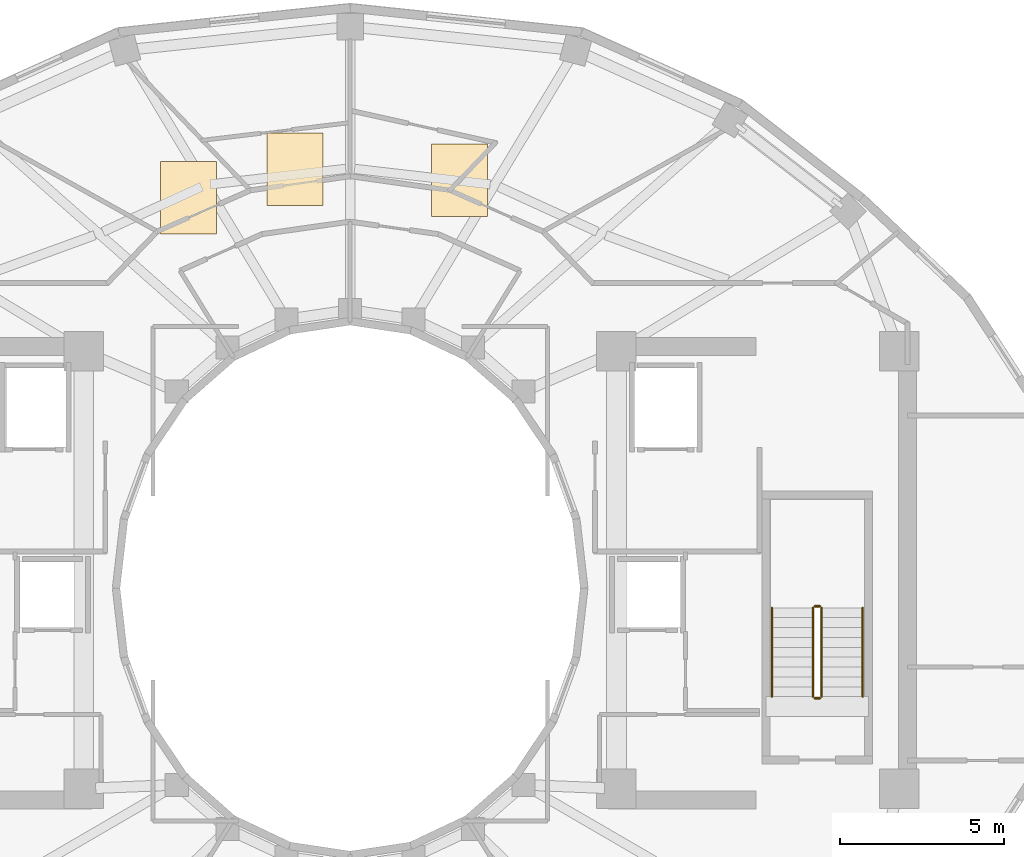
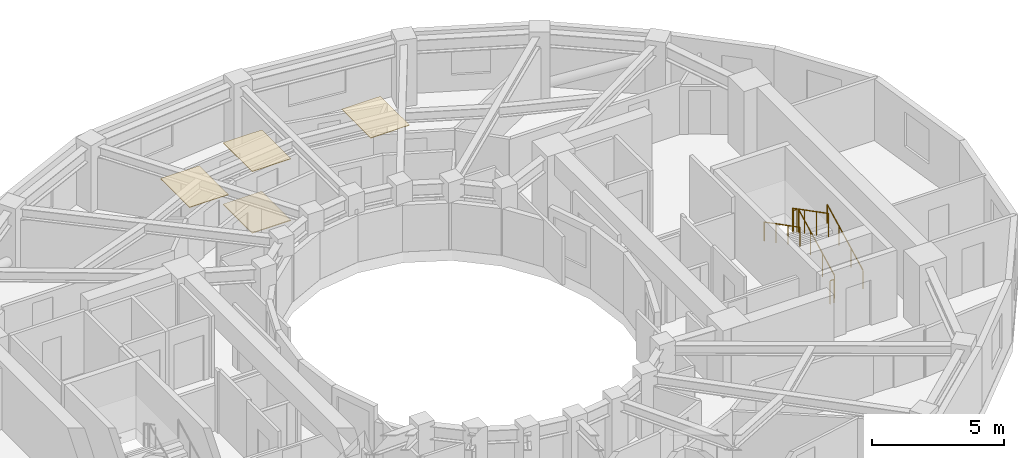
# One storey, part 9 of 9: 6 railings, 4 coverings.
"""IFC4 building model written with IfcOpenShell, lengths in metres."""

import ifcopenshell
import ifcopenshell.guid

model = None  # the IFC model being written
_history = None  # IfcOwnerHistory: only IFC2X3 demands one
_inside = {}  # id of a spatial element -> (the spatial element, [elements in it])
_under = {}  # id of a project, library or spatial element -> (it, [spatial elements below it])
_declared = {}  # id of a project -> (the project, [libraries it declares])
_typed = {}  # id of a type object -> (the type object, [elements of that type])
_made_of = {}  # id of a material, layer set ... -> (it, [elements and type objects made of it])


def new_model(schema):
    """Start an empty IFC model of exactly this schema.

    Asked for "IFC4X3", IfcOpenShell would pick the latest addendum, in which some entities
    have other attributes; the version numbers below select the first issue.
    IFC2X3 requires an IfcOwnerHistory on every rooted entity: one is made here for all.
    """
    global model, _history
    if schema == "IFC4X3":
        model = ifcopenshell.file(schema_version=(4, 3, 0, 0))
    else:
        model = ifcopenshell.file(schema=schema)
    _inside.clear()
    _under.clear()
    _declared.clear()
    _typed.clear()
    _made_of.clear()
    _history = None
    if model.schema == "IFC2X3":
        org = make("IfcOrganization", Name="unknown")
        user = make(
            "IfcPersonAndOrganization",
            ThePerson=make("IfcPerson", FamilyName="unknown"),
            TheOrganization=org,
        )
        app = make(
            "IfcApplication",
            ApplicationDeveloper=org,
            Version="unknown",
            ApplicationFullName="unknown",
            ApplicationIdentifier="unknown",
        )
        _history = make(
            "IfcOwnerHistory",
            OwningUser=user,
            OwningApplication=app,
            ChangeAction="ADDED",
            CreationDate=0,
        )
    return model


def make(cls, **values):
    """One entity of the class cls with the attributes given. An attribute that is None is left unset."""
    return model.create_entity(
        cls, **{name: value for name, value in values.items() if value is not None}
    )


def rooted(cls, **values):
    """An entity with a GlobalId (a new one), such as an element, a storey or a relation."""
    return make(cls, GlobalId=ifcopenshell.guid.new(), OwnerHistory=_history, **values)


def si_unit(unit_type, name, prefix=None):
    """IfcSIUnit, for example si_unit("LENGTHUNIT", "METRE", prefix="MILLI")."""
    return make("IfcSIUnit", UnitType=unit_type, Prefix=prefix, Name=name)


def assignment(units):
    """IfcUnitAssignment: the units of a project."""
    return None if units is None else make("IfcUnitAssignment", Units=units)


def point(xyz):
    """IfcCartesianPoint."""
    return None if xyz is None else make("IfcCartesianPoint", Coordinates=xyz)


def direction(xyz):
    """IfcDirection."""
    return None if xyz is None else make("IfcDirection", DirectionRatios=xyz)


def frame(location, z_axis=None, x_axis=None):
    """IfcAxis2Placement3D, a coordinate frame: its origin and axes. An axis left out is left unset."""
    return make(
        "IfcAxis2Placement3D",
        Location=point(location),
        Axis=direction(z_axis),
        RefDirection=direction(x_axis),
    )


def frame_2d(location, x_axis=None):
    """IfcAxis2Placement2D, a coordinate frame in the plane: its origin and x axis."""
    return make(
        "IfcAxis2Placement2D", Location=point(location), RefDirection=direction(x_axis)
    )


def origin():
    """The frame at (0, 0, 0) with its axes left unset."""
    return frame((0.0, 0.0, 0.0))


def origin_2d():
    """The frame at (0, 0) in the plane with its x axis left unset."""
    return frame_2d((0.0, 0.0))


def place(relative_to, where):
    """IfcLocalPlacement: puts the frame where relative to a parent placement (None: the world)."""
    return make(
        "IfcLocalPlacement", PlacementRelTo=relative_to, RelativePlacement=where
    )


def context(
    kind, dimensions, precision=None, world=None, true_north=None, identifier=None
):
    """IfcGeometricRepresentationContext, for example the 3D "Model" context."""
    return make(
        "IfcGeometricRepresentationContext",
        ContextIdentifier=identifier,
        ContextType=kind,
        CoordinateSpaceDimension=dimensions,
        Precision=precision,
        WorldCoordinateSystem=world,
        TrueNorth=true_north,
    )


def subcontext(parent, identifier, kind, view, scale=None):
    """IfcGeometricRepresentationSubContext, for example "Body" below "Model"."""
    return make(
        "IfcGeometricRepresentationSubContext",
        ContextIdentifier=identifier,
        ContextType=kind,
        ParentContext=parent,
        TargetScale=scale,
        TargetView=view,
    )


def project(units=None, contexts=None):
    """IfcProject with its units and contexts."""
    return rooted(
        "IfcProject",
        Name="project",
        RepresentationContexts=contexts,
        UnitsInContext=assignment(units),
    )


def spatial(cls, under=None, at=None, **own):
    """A site, building, storey or space (cls), placed at a placement, below another one or the project."""
    s = rooted(cls, ObjectPlacement=at, **own)
    if under is not None:
        _under.setdefault(under.id(), (under, []))[1].append(s)
    return s


def polyline(points):
    """IfcPolyline through the points."""
    return make("IfcPolyline", Points=[point(p) for p in points])


def profile(cls, at=None, kind="AREA", **sizes):
    """A parametric profile (cls). Its sizes go by their IFC names, for example OverallWidth=200.0."""
    return make(cls, ProfileType=kind, Position=at, **sizes)


def circle(**sizes):
    """IfcCircleProfileDef."""
    return profile("IfcCircleProfileDef", **sizes)


def outline(outer, holes=None, kind="AREA"):
    """IfcArbitraryClosedProfileDef: a profile drawn as a closed curve; with holes, ...WithVoids."""
    if holes is None:
        return make("IfcArbitraryClosedProfileDef", ProfileType=kind, OuterCurve=outer)
    return make(
        "IfcArbitraryProfileDefWithVoids",
        ProfileType=kind,
        OuterCurve=outer,
        InnerCurves=holes,
    )


def extrude(swept, where, along, depth):
    """IfcExtrudedAreaSolid: the profile swept, set in the frame where, extruded along a direction by depth."""
    return make(
        "IfcExtrudedAreaSolid",
        SweptArea=swept,
        Position=where,
        ExtrudedDirection=direction(along),
        Depth=depth,
    )


def shape(context_of_items, identifier, shape_type, items):
    """IfcShapeRepresentation: the items that make up one representation, for example the "Body"."""
    return make(
        "IfcShapeRepresentation",
        ContextOfItems=context_of_items,
        RepresentationIdentifier=identifier,
        RepresentationType=shape_type,
        Items=items,
    )


def material(Name=None, Category=None):
    """IfcMaterial."""
    return make("IfcMaterial", Name=Name, Category=Category)


def layer(
    of_material, thickness, ventilated=None, Name=None, Category=None, Priority=None
):
    """IfcMaterialLayer: one layer of a wall or slab, of a material (None: an air gap)."""
    return make(
        "IfcMaterialLayer",
        Material=of_material,
        LayerThickness=thickness,
        IsVentilated=ventilated,
        Name=Name,
        Category=Category,
        Priority=Priority,
    )


def layer_set(layers, Name=None):
    """IfcMaterialLayerSet."""
    return make("IfcMaterialLayerSet", MaterialLayers=layers, LayerSetName=Name)


def made_of(thing, what):
    """Note that an element or type object is made of a material, layer set ...; save() writes the relation."""
    if what is not None:
        _made_of.setdefault(what.id(), (what, []))[1].append(thing)
    return thing


def type_object(cls, material=None, **own):
    """A type object (cls), such as IfcWallType, which elements share."""
    return made_of(rooted(cls, **own), material)


def element(
    cls,
    number,
    at=None,
    inside=None,
    cuts=None,
    type_object=None,
    material=None,
    context=None,
    identifier="Body",
    shape_type=None,
    held_by="IfcProductDefinitionShape",
    body=None,
    shapes=None,
    **own,
):
    """One element of the class cls, such as IfcWall. Its Tag is "e" and its number.

    at: its placement. inside: the storey or other place that contains it. cuts: it is an
    opening in that element (IfcRelVoidsElement). A single representation is given by context,
    identifier, shape_type and body (its items); several are given by shapes. held_by: the class
    of the entity that holds the representations. save() writes the other relations.
    """
    e = rooted(cls, Tag="e%d" % number, ObjectPlacement=at, **own)
    if body is not None:
        shapes = [shape(context, identifier, shape_type, body)]
    if shapes is not None:
        e.Representation = make(held_by, Representations=shapes)
    if inside is not None:
        _inside.setdefault(inside.id(), (inside, []))[1].append(e)
    if cuts is not None:
        rooted(
            "IfcRelVoidsElement", RelatingBuildingElement=cuts, RelatedOpeningElement=e
        )
    if type_object is not None:
        _typed.setdefault(type_object.id(), (type_object, []))[1].append(e)
    return made_of(e, material)


def aggregate(whole, parts):
    """IfcRelAggregates: a whole, such as a stair, and the parts it consists of."""
    return rooted("IfcRelAggregates", RelatingObject=whole, RelatedObjects=parts)


def save(model, path):
    """Write the relations noted so far, then the file.

    IfcRelAggregates (storeys below a building ...), IfcRelContainedInSpatialStructure (elements
    in a storey), IfcRelDefinesByType, IfcRelAssociatesMaterial and IfcRelDeclares: one each for
    every whole, place, type object, material and project.
    """
    for whole, parts in _under.values():
        aggregate(whole, parts)
    for where, things in _inside.values():
        rooted(
            "IfcRelContainedInSpatialStructure",
            RelatedElements=things,
            RelatingStructure=where,
        )
    for kind, things in _typed.values():
        rooted("IfcRelDefinesByType", RelatedObjects=things, RelatingType=kind)
    for what, things in _made_of.values():
        rooted("IfcRelAssociatesMaterial", RelatedObjects=things, RelatingMaterial=what)
    for by, libraries in _declared.values():
        rooted("IfcRelDeclares", RelatingContext=by, RelatedDefinitions=libraries)
    model.write(path)


model = new_model("IFC4")

# Units and contexts
model_context = context("Model", 3, precision=1e-05, world=origin(), true_north=direction((0.0, 1.0)))
body_context = subcontext(model_context, "Body", "Model", "MODEL_VIEW")
ifc_project = project(units=[si_unit("LENGTHUNIT", "METRE"), si_unit("AREAUNIT", "SQUARE_METRE"), si_unit("VOLUMEUNIT", "CUBIC_METRE"), si_unit("PLANEANGLEUNIT", "RADIAN"), si_unit("MASSUNIT", "GRAM", prefix="KILO")], contexts=[model_context])

# Site, building, storey
site_placement = place(None, origin())
site = spatial("IfcSite", under=ifc_project, at=site_placement, CompositionType="ELEMENT")
building_placement = place(site_placement, origin())
building = spatial("IfcBuilding", under=site, at=building_placement, Name="Solvane Sanctuary Tower", CompositionType="ELEMENT")
storey_placement = place(building_placement, frame((0.0, 0.0, 220.199951171875)))
storey = spatial("IfcBuildingStorey", under=building, at=storey_placement, Name="L67", CompositionType="ELEMENT", Elevation=220.199951171875)

# Coverings
ifc_material_1 = material(Name="Acoustic Gypsum Partition Board")
ifc_layer_1 = layer(ifc_material_1, 0.02490234375, Name="Acoustic Gypsum Partition Board")
ifc_layer_set_1 = layer_set([ifc_layer_1], Name="Acoustic Gypsum Partition Board")
covering_type_1 = type_object("IfcCoveringType", Name="Covering CLG-ACOUST", PredefinedType="CEILING", material=ifc_layer_set_1)
covering_1_placement = place(storey_placement, frame((0.0, 0.0, 2.85009765625)))
element("IfcCovering", 1, at=covering_1_placement, inside=storey, type_object=covering_type_1, Name="L67 Unit Acoustic Ceiling Panel 1", PredefinedType="CEILING", context=body_context, shape_type="SweptSolid", body=[
    extrude(outline(polyline([(34.47607421875, 34.31201171875), (36.176025390625, 34.31201171875), (36.176025390625, 36.511962890625), (34.47607421875, 36.511962890625), (34.47607421875, 34.31201171875)])), origin(), (0.0, 0.0, 1.0), 0.030029296875),
])
covering_2_placement = place(storey_placement, frame((0.0, 0.0, 2.85009765625)))
element("IfcCovering", 2, at=covering_2_placement, inside=storey, type_object=covering_type_1, Name="L67 Unit Acoustic Ceiling Panel 2", PredefinedType="CEILING", context=body_context, shape_type="SweptSolid", body=[
    extrude(outline(polyline([(29.472900390625, 34.639892578125), (31.173095703125, 34.639892578125), (31.173095703125, 36.840087890625), (29.472900390625, 36.840087890625), (29.472900390625, 34.639892578125)])), origin(), (0.0, 0.0, 1.0), 0.030029296875),
])
covering_3_placement = place(storey_placement, frame((0.0, 0.0, 2.85009765625)))
element("IfcCovering", 3, at=covering_3_placement, inside=storey, type_object=covering_type_1, Name="L67 Unit Acoustic Ceiling Panel 3", PredefinedType="CEILING", context=body_context, shape_type="SweptSolid", body=[
    extrude(outline(polyline([(26.23291015625, 33.77197265625), (27.93310546875, 33.77197265625), (27.93310546875, 35.971923828125), (26.23291015625, 35.971923828125), (26.23291015625, 33.77197265625)])), origin(), (0.0, 0.0, 1.0), 0.030029296875),
])
ifc_material_2 = material(Name="Ceramic Tile Finish")
ifc_layer_2 = layer(ifc_material_2, 0.030029296875, Name="Ceramic Tile Finish")
ifc_layer_set_2 = layer_set([ifc_layer_2], Name="Ceramic Tile Finish")
covering_type_2 = type_object("IfcCoveringType", Name="Covering FLR-TERRAZZO", PredefinedType="FLOORING", material=ifc_layer_set_2)
covering_4_placement = place(storey_placement, origin())
element("IfcCovering", 4, at=covering_4_placement, inside=storey, type_object=covering_type_2, Name="L67 Unit Terrazzo Inlay 2", PredefinedType="FLOORING", context=body_context, shape_type="SweptSolid", body=[
    extrude(outline(polyline([(29.472900390625, 34.639892578125), (31.173095703125, 34.639892578125), (31.173095703125, 36.840087890625), (29.472900390625, 36.840087890625), (29.472900390625, 34.639892578125)])), origin(), (0.0, 0.0, 1.0), 0.03515625),
])

# Railings
ifc_material_3 = material(Name="Architectural Stainless Steel 316", Category="steel")
railing_type_1 = type_object("IfcRailingType", Name="Railing GR-BALC-1150", PredefinedType="BALUSTRADE", material=ifc_material_3)
railing_1_placement = place(storey_placement, frame((46.340087890625, 19.699951171875, 0.155029296875)))
element("IfcRailing", 5, at=railing_1_placement, inside=storey, type_object=railing_type_1, Name="L67 ST-2 stair guard 1", PredefinedType="BALUSTRADE", context=body_context, shape_type="SweptSolid", body=[
    extrude(circle(Radius=0.02392578125, at=origin_2d()), frame((0.0, 0.0, 1.076171875), z_axis=(0.0, 0.888419900624, 0.459031676658), x_axis=(-1.0, 0.0, 0.0)), (0.0, 0.0, 1.0), 3.0390625),
    extrude(circle(Radius=0.02099609375, at=origin_2d()), origin(), (0.0, 0.0, 1.0), 1.052001953125),
    extrude(circle(Radius=0.02099609375, at=origin_2d()), frame((0.0, 0.89990234375, 0.465087890625)), (0.0, 0.0, 1.0), 1.052001953125),
    extrude(circle(Radius=0.02099609375, at=origin_2d()), frame((0.0, 1.800048828125, 0.929931640625)), (0.0, 0.0, 1.0), 1.052001953125),
    extrude(circle(Radius=0.02099609375, at=origin_2d()), frame((0.0, 2.699951171875, 1.39501953125)), (0.0, 0.0, 1.0), 1.052001953125),
])
railing_2_placement = place(storey_placement, frame((46.2900390625, 22.449951171875, 1.550048828125)))
element("IfcRailing", 6, at=railing_2_placement, inside=storey, type_object=railing_type_1, Name="L67 ST-2 stair guard 2", PredefinedType="BALUSTRADE", context=body_context, shape_type="SweptSolid", body=[
    extrude(circle(Radius=0.02392578125, at=origin_2d()), frame((0.0, 0.0, 1.076171875), z_axis=(-1.0, 0.0, 0.0), x_axis=(0.0, -1.0, 0.0)), (0.0, 0.0, 1.0), 0.16015625),
    extrude(circle(Radius=0.02099609375, at=origin_2d()), origin(), (0.0, 0.0, 1.0), 1.052001953125),
    extrude(circle(Radius=0.02099609375, at=origin_2d()), frame((-0.16015625, 0.0, 0.0)), (0.0, 0.0, 1.0), 1.052001953125),
])
railing_3_placement = place(storey_placement, frame((46.080078125, 22.39990234375, 1.705078125)))
element("IfcRailing", 7, at=railing_3_placement, inside=storey, type_object=railing_type_1, Name="L67 ST-2 stair guard 3", PredefinedType="BALUSTRADE", context=body_context, shape_type="SweptSolid", body=[
    extrude(circle(Radius=0.02392578125, at=origin_2d()), frame((0.0, 0.0, 1.076171875), z_axis=(0.0, -0.888419900624, 0.459031676658), x_axis=(1.0, 0.0, 0.0)), (0.0, 0.0, 1.0), 3.0390625),
    extrude(circle(Radius=0.02099609375, at=origin_2d()), origin(), (0.0, 0.0, 1.0), 1.052001953125),
    extrude(circle(Radius=0.02099609375, at=origin_2d()), frame((0.0, -0.89990234375, 0.465087890625)), (0.0, 0.0, 1.0), 1.052001953125),
    extrude(circle(Radius=0.02099609375, at=origin_2d()), frame((0.0, -1.800048828125, 0.929931640625)), (0.0, 0.0, 1.0), 1.052001953125),
    extrude(circle(Radius=0.02099609375, at=origin_2d()), frame((0.0, -2.699951171875, 1.39501953125)), (0.0, 0.0, 1.0), 1.052001953125),
])
railing_4_placement = place(storey_placement, frame((46.2900390625, 19.64990234375, 0.0)))
element("IfcRailing", 8, at=railing_4_placement, inside=storey, type_object=railing_type_1, Name="L67 ST-2 stair guard 4", PredefinedType="BALUSTRADE", context=body_context, shape_type="SweptSolid", body=[
    extrude(circle(Radius=0.02392578125, at=origin_2d()), frame((0.0, 0.0, 1.076171875), z_axis=(-1.0, 0.0, 0.0), x_axis=(0.0, -1.0, 0.0)), (0.0, 0.0, 1.0), 0.16015625),
    extrude(circle(Radius=0.02099609375, at=origin_2d()), origin(), (0.0, 0.0, 1.0), 1.052001953125),
    extrude(circle(Radius=0.02099609375, at=origin_2d()), frame((-0.16015625, 0.0, 0.0)), (0.0, 0.0, 1.0), 1.052001953125),
])
railing_type_2 = type_object("IfcRailingType", Name="Railing HR-STAIR-920", PredefinedType="HANDRAIL", material=ifc_material_3)
railing_5_placement = place(storey_placement, frame((47.590087890625, 19.699951171875, 0.155029296875)))
element("IfcRailing", 9, at=railing_5_placement, inside=storey, type_object=railing_type_2, Name="L67 ST-2 stair handrail 1", PredefinedType="HANDRAIL", context=body_context, shape_type="SweptSolid", body=[
    extrude(circle(Radius=0.02392578125, at=origin_2d()), frame((0.0, 0.0, 0.8759765625), z_axis=(0.0, 0.888419900624, 0.459031676658), x_axis=(-1.0, 0.0, 0.0)), (0.0, 0.0, 1.0), 3.0390625),
    extrude(circle(Radius=0.02099609375, at=origin_2d()), origin(), (0.0, 0.0, 1.0), 0.851806640625),
    extrude(circle(Radius=0.02099609375, at=origin_2d()), frame((0.0, 0.89990234375, 0.465087890625)), (0.0, 0.0, 1.0), 0.851806640625),
    extrude(circle(Radius=0.02099609375, at=origin_2d()), frame((0.0, 1.800048828125, 0.929931640625)), (0.0, 0.0, 1.0), 0.851806640625),
    extrude(circle(Radius=0.02099609375, at=origin_2d()), frame((0.0, 2.699951171875, 1.39501953125)), (0.0, 0.0, 1.0), 0.851806640625),
])
railing_6_placement = place(storey_placement, frame((44.830078125, 22.39990234375, 1.705078125)))
element("IfcRailing", 10, at=railing_6_placement, inside=storey, type_object=railing_type_2, Name="L67 ST-2 stair handrail 2", PredefinedType="HANDRAIL", context=body_context, shape_type="SweptSolid", body=[
    extrude(circle(Radius=0.02392578125, at=origin_2d()), frame((0.0, 0.0, 0.8759765625), z_axis=(0.0, -0.888419900624, 0.459031676658), x_axis=(1.0, 0.0, 0.0)), (0.0, 0.0, 1.0), 3.0390625),
    extrude(circle(Radius=0.02099609375, at=origin_2d()), origin(), (0.0, 0.0, 1.0), 0.851806640625),
    extrude(circle(Radius=0.02099609375, at=origin_2d()), frame((0.0, -0.89990234375, 0.465087890625)), (0.0, 0.0, 1.0), 0.851806640625),
    extrude(circle(Radius=0.02099609375, at=origin_2d()), frame((0.0, -1.800048828125, 0.929931640625)), (0.0, 0.0, 1.0), 0.851806640625),
    extrude(circle(Radius=0.02099609375, at=origin_2d()), frame((0.0, -2.699951171875, 1.39501953125)), (0.0, 0.0, 1.0), 0.851806640625),
])

save(model, "model.ifc")
